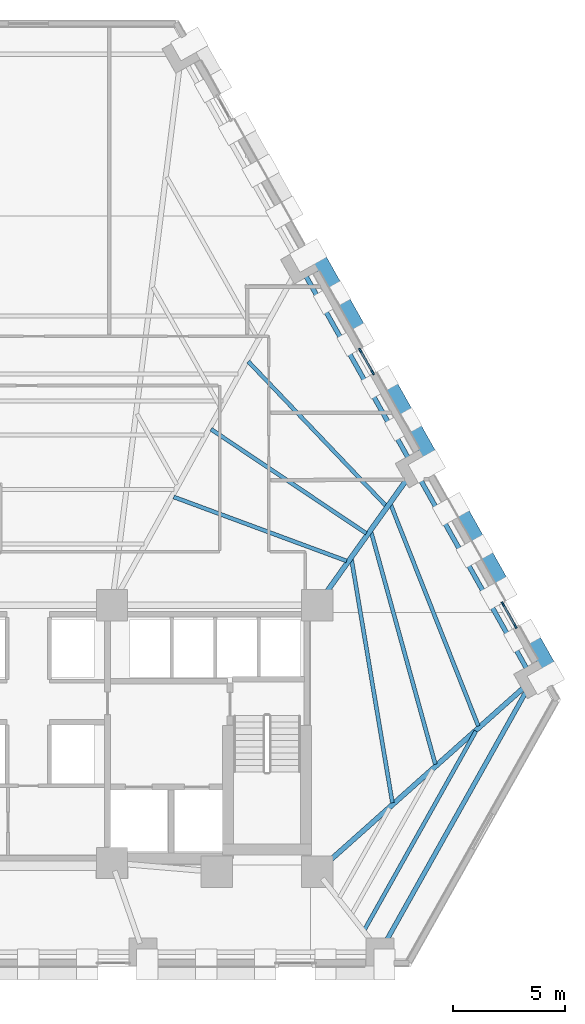
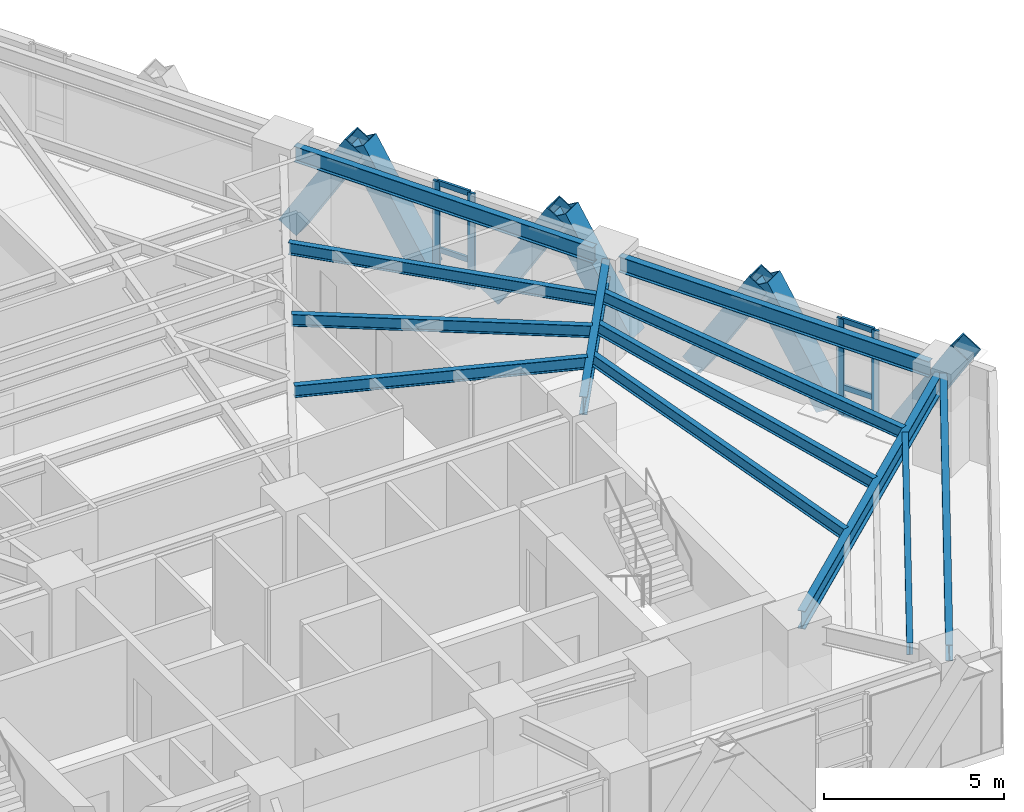
# One storey, part 4 of 13: 17 members, 12 beams, 2 elements without a shape of their own.
"""IFC4 building model written with IfcOpenShell, lengths in metres."""

import ifcopenshell
import ifcopenshell.guid

model = None  # the IFC model being written
_history = None  # IfcOwnerHistory: only IFC2X3 demands one
_inside = {}  # id of a spatial element -> (the spatial element, [elements in it])
_under = {}  # id of a project, library or spatial element -> (it, [spatial elements below it])
_declared = {}  # id of a project -> (the project, [libraries it declares])
_typed = {}  # id of a type object -> (the type object, [elements of that type])
_made_of = {}  # id of a material, layer set ... -> (it, [elements and type objects made of it])


def new_model(schema):
    """Start an empty IFC model of exactly this schema.

    Asked for "IFC4X3", IfcOpenShell would pick the latest addendum, in which some entities
    have other attributes; the version numbers below select the first issue.
    IFC2X3 requires an IfcOwnerHistory on every rooted entity: one is made here for all.
    """
    global model, _history
    if schema == "IFC4X3":
        model = ifcopenshell.file(schema_version=(4, 3, 0, 0))
    else:
        model = ifcopenshell.file(schema=schema)
    _inside.clear()
    _under.clear()
    _declared.clear()
    _typed.clear()
    _made_of.clear()
    _history = None
    if model.schema == "IFC2X3":
        org = make("IfcOrganization", Name="unknown")
        user = make(
            "IfcPersonAndOrganization",
            ThePerson=make("IfcPerson", FamilyName="unknown"),
            TheOrganization=org,
        )
        app = make(
            "IfcApplication",
            ApplicationDeveloper=org,
            Version="unknown",
            ApplicationFullName="unknown",
            ApplicationIdentifier="unknown",
        )
        _history = make(
            "IfcOwnerHistory",
            OwningUser=user,
            OwningApplication=app,
            ChangeAction="ADDED",
            CreationDate=0,
        )
    return model


def make(cls, **values):
    """One entity of the class cls with the attributes given. An attribute that is None is left unset."""
    return model.create_entity(
        cls, **{name: value for name, value in values.items() if value is not None}
    )


def rooted(cls, **values):
    """An entity with a GlobalId (a new one), such as an element, a storey or a relation."""
    return make(cls, GlobalId=ifcopenshell.guid.new(), OwnerHistory=_history, **values)


def si_unit(unit_type, name, prefix=None):
    """IfcSIUnit, for example si_unit("LENGTHUNIT", "METRE", prefix="MILLI")."""
    return make("IfcSIUnit", UnitType=unit_type, Prefix=prefix, Name=name)


def assignment(units):
    """IfcUnitAssignment: the units of a project."""
    return None if units is None else make("IfcUnitAssignment", Units=units)


def point(xyz):
    """IfcCartesianPoint."""
    return None if xyz is None else make("IfcCartesianPoint", Coordinates=xyz)


def direction(xyz):
    """IfcDirection."""
    return None if xyz is None else make("IfcDirection", DirectionRatios=xyz)


def frame(location, z_axis=None, x_axis=None):
    """IfcAxis2Placement3D, a coordinate frame: its origin and axes. An axis left out is left unset."""
    return make(
        "IfcAxis2Placement3D",
        Location=point(location),
        Axis=direction(z_axis),
        RefDirection=direction(x_axis),
    )


def frame_2d(location, x_axis=None):
    """IfcAxis2Placement2D, a coordinate frame in the plane: its origin and x axis."""
    return make(
        "IfcAxis2Placement2D", Location=point(location), RefDirection=direction(x_axis)
    )


def origin():
    """The frame at (0, 0, 0) with its axes left unset."""
    return frame((0.0, 0.0, 0.0))


def origin_2d():
    """The frame at (0, 0) in the plane with its x axis left unset."""
    return frame_2d((0.0, 0.0))


def place(relative_to, where):
    """IfcLocalPlacement: puts the frame where relative to a parent placement (None: the world)."""
    return make(
        "IfcLocalPlacement", PlacementRelTo=relative_to, RelativePlacement=where
    )


def context(
    kind, dimensions, precision=None, world=None, true_north=None, identifier=None
):
    """IfcGeometricRepresentationContext, for example the 3D "Model" context."""
    return make(
        "IfcGeometricRepresentationContext",
        ContextIdentifier=identifier,
        ContextType=kind,
        CoordinateSpaceDimension=dimensions,
        Precision=precision,
        WorldCoordinateSystem=world,
        TrueNorth=true_north,
    )


def subcontext(parent, identifier, kind, view, scale=None):
    """IfcGeometricRepresentationSubContext, for example "Body" below "Model"."""
    return make(
        "IfcGeometricRepresentationSubContext",
        ContextIdentifier=identifier,
        ContextType=kind,
        ParentContext=parent,
        TargetScale=scale,
        TargetView=view,
    )


def project(units=None, contexts=None):
    """IfcProject with its units and contexts."""
    return rooted(
        "IfcProject",
        Name="project",
        RepresentationContexts=contexts,
        UnitsInContext=assignment(units),
    )


def spatial(cls, under=None, at=None, **own):
    """A site, building, storey or space (cls), placed at a placement, below another one or the project."""
    s = rooted(cls, ObjectPlacement=at, **own)
    if under is not None:
        _under.setdefault(under.id(), (under, []))[1].append(s)
    return s


def profile(cls, at=None, kind="AREA", **sizes):
    """A parametric profile (cls). Its sizes go by their IFC names, for example OverallWidth=200.0."""
    return make(cls, ProfileType=kind, Position=at, **sizes)


def rectangle(**sizes):
    """IfcRectangleProfileDef."""
    return profile("IfcRectangleProfileDef", **sizes)


def hollow_rectangle(**sizes):
    """IfcRectangleHollowProfileDef."""
    return profile("IfcRectangleHollowProfileDef", **sizes)


def i_section(**sizes):
    """IfcIShapeProfileDef."""
    return profile("IfcIShapeProfileDef", **sizes)


def extrude(swept, where, along, depth):
    """IfcExtrudedAreaSolid: the profile swept, set in the frame where, extruded along a direction by depth."""
    return make(
        "IfcExtrudedAreaSolid",
        SweptArea=swept,
        Position=where,
        ExtrudedDirection=direction(along),
        Depth=depth,
    )


def shape(context_of_items, identifier, shape_type, items):
    """IfcShapeRepresentation: the items that make up one representation, for example the "Body"."""
    return make(
        "IfcShapeRepresentation",
        ContextOfItems=context_of_items,
        RepresentationIdentifier=identifier,
        RepresentationType=shape_type,
        Items=items,
    )


def material(Name=None, Category=None):
    """IfcMaterial."""
    return make("IfcMaterial", Name=Name, Category=Category)


def material_profile(
    of_material, cross_section, Name=None, Category=None, Priority=None
):
    """IfcMaterialProfile: a cross section and its material."""
    return make(
        "IfcMaterialProfile",
        Name=Name,
        Material=of_material,
        Profile=cross_section,
        Priority=Priority,
        Category=Category,
    )


def profile_set(profiles, Name=None, composite=None):
    """IfcMaterialProfileSet."""
    return make(
        "IfcMaterialProfileSet",
        Name=Name,
        MaterialProfiles=profiles,
        CompositeProfile=composite,
    )


def made_of(thing, what):
    """Note that an element or type object is made of a material, layer set ...; save() writes the relation."""
    if what is not None:
        _made_of.setdefault(what.id(), (what, []))[1].append(thing)
    return thing


def type_object(cls, material=None, **own):
    """A type object (cls), such as IfcWallType, which elements share."""
    return made_of(rooted(cls, **own), material)


def element(
    cls,
    number,
    at=None,
    inside=None,
    cuts=None,
    type_object=None,
    material=None,
    context=None,
    identifier="Body",
    shape_type=None,
    held_by="IfcProductDefinitionShape",
    body=None,
    shapes=None,
    **own,
):
    """One element of the class cls, such as IfcWall. Its Tag is "e" and its number.

    at: its placement. inside: the storey or other place that contains it. cuts: it is an
    opening in that element (IfcRelVoidsElement). A single representation is given by context,
    identifier, shape_type and body (its items); several are given by shapes. held_by: the class
    of the entity that holds the representations. save() writes the other relations.
    """
    e = rooted(cls, Tag="e%d" % number, ObjectPlacement=at, **own)
    if body is not None:
        shapes = [shape(context, identifier, shape_type, body)]
    if shapes is not None:
        e.Representation = make(held_by, Representations=shapes)
    if inside is not None:
        _inside.setdefault(inside.id(), (inside, []))[1].append(e)
    if cuts is not None:
        rooted(
            "IfcRelVoidsElement", RelatingBuildingElement=cuts, RelatedOpeningElement=e
        )
    if type_object is not None:
        _typed.setdefault(type_object.id(), (type_object, []))[1].append(e)
    return made_of(e, material)


def aggregate(whole, parts):
    """IfcRelAggregates: a whole, such as a stair, and the parts it consists of."""
    return rooted("IfcRelAggregates", RelatingObject=whole, RelatedObjects=parts)


def save(model, path):
    """Write the relations noted so far, then the file.

    IfcRelAggregates (storeys below a building ...), IfcRelContainedInSpatialStructure (elements
    in a storey), IfcRelDefinesByType, IfcRelAssociatesMaterial and IfcRelDeclares: one each for
    every whole, place, type object, material and project.
    """
    for whole, parts in _under.values():
        aggregate(whole, parts)
    for where, things in _inside.values():
        rooted(
            "IfcRelContainedInSpatialStructure",
            RelatedElements=things,
            RelatingStructure=where,
        )
    for kind, things in _typed.values():
        rooted("IfcRelDefinesByType", RelatedObjects=things, RelatingType=kind)
    for what, things in _made_of.values():
        rooted("IfcRelAssociatesMaterial", RelatedObjects=things, RelatingMaterial=what)
    for by, libraries in _declared.values():
        rooted("IfcRelDeclares", RelatingContext=by, RelatedDefinitions=libraries)
    model.write(path)


model = new_model("IFC4")

# Units and contexts
model_context = context("Model", 3, precision=1e-05, world=origin(), true_north=direction((0.0, 1.0)))
body_context = subcontext(model_context, "Body", "Model", "MODEL_VIEW")
ifc_project = project(units=[si_unit("LENGTHUNIT", "METRE"), si_unit("AREAUNIT", "SQUARE_METRE"), si_unit("VOLUMEUNIT", "CUBIC_METRE"), si_unit("PLANEANGLEUNIT", "RADIAN"), si_unit("MASSUNIT", "GRAM", prefix="KILO")], contexts=[model_context])

# Site, building, storey
site_placement = place(None, origin())
site = spatial("IfcSite", under=ifc_project, at=site_placement, CompositionType="ELEMENT")
building_placement = place(site_placement, origin())
building = spatial("IfcBuilding", under=site, at=building_placement, Name="Quenlor Broadcast Tower", CompositionType="ELEMENT")
storey_placement = place(building_placement, frame((0.0, 0.0, 45.10009765625)))
storey = spatial("IfcBuildingStorey", under=building, at=storey_placement, Name="L11", CompositionType="ELEMENT", Elevation=45.10009765625)

# Curtain wall, members
ifc_material_1 = material(Name="Architectural Terracotta and Low-E Glazing", Category="masonry")
curtain_wall_type = type_object("IfcCurtainWallType", Name="Unitised Terracotta Curtain Wall System Z1", PredefinedType="NOTDEFINED", material=ifc_material_1)
curtain_wall_1_placement = place(storey_placement, origin())
curtain_wall_1 = element("IfcCurtainWall", 1, at=curtain_wall_1_placement, inside=storey, type_object=curtain_wall_type, Name="L11 Curtain Wall CW1 (L11-NEC-G1)", PredefinedType="NOTDEFINED")
ifc_material_2 = material(Name="Aluminium 6063-T6", Category="aluminium")
ifc_material_profile_1 = material_profile(ifc_material_2, rectangle(XDim=0.080078125, YDim=0.219970703125, at=origin_2d()))
ifc_profile_set_1 = profile_set([ifc_material_profile_1], Name="Aluminium 6063-T6 MULL80x220")
member_type_1 = type_object("IfcMemberType", Name="CW1 Aluminium Mullion MULL_CW1", PredefinedType="MULLION", material=ifc_profile_set_1)
member_1_placement = place(storey_placement, frame((21.277587890625, -4.75341796875, 0.0), z_axis=(0.0, 0.0, 1.0), x_axis=(0.871602077703, 0.490214053392, 0.0)))
member_1 = element("IfcMember", 2, at=member_1_placement, type_object=member_type_1, Name="CW1 mullion 1", PredefinedType="MULLION", context=body_context, shape_type="SweptSolid", body=[
    extrude(rectangle(XDim=0.080078125, YDim=0.219970703125, at=origin_2d()), origin(), (0.0, 0.0, 1.0), 3.25),
])
member_2_placement = place(storey_placement, frame((21.830322265625, -5.736083984375, 0.0), z_axis=(0.0, 0.0, 1.0), x_axis=(0.871602077703, 0.490214053392, 0.0)))
member_2 = element("IfcMember", 3, at=member_2_placement, type_object=member_type_1, Name="CW1 mullion 2", PredefinedType="MULLION", context=body_context, shape_type="SweptSolid", body=[
    extrude(rectangle(XDim=0.080078125, YDim=0.219970703125, at=origin_2d()), origin(), (0.0, 0.0, 1.0), 3.25),
])

curtain_wall_2_placement = place(storey_placement, origin())
curtain_wall_2 = element("IfcCurtainWall", 4, at=curtain_wall_2_placement, inside=storey, type_object=curtain_wall_type, Name="L11 Curtain Wall CW1 (L11-NE-G1)", PredefinedType="NOTDEFINED")
member_3_placement = place(storey_placement, frame((14.884033203125, 6.613037109375, 0.0), z_axis=(0.0, 0.0, 1.0), x_axis=(0.871566690057, 0.49027696742, 0.0)))
member_3 = element("IfcMember", 5, at=member_3_placement, type_object=member_type_1, Name="CW1 mullion 1", PredefinedType="MULLION", context=body_context, shape_type="SweptSolid", body=[
    extrude(rectangle(XDim=0.080078125, YDim=0.219970703125, at=origin_2d()), origin(), (0.0, 0.0, 1.0), 3.25),
])
member_4_placement = place(storey_placement, frame((15.436767578125, 5.63037109375, 0.0), z_axis=(0.0, 0.0, 1.0), x_axis=(0.871566690057, 0.49027696742, 0.0)))
member_4 = element("IfcMember", 6, at=member_4_placement, type_object=member_type_1, Name="CW1 mullion 2", PredefinedType="MULLION", context=body_context, shape_type="SweptSolid", body=[
    extrude(rectangle(XDim=0.080078125, YDim=0.219970703125, at=origin_2d()), origin(), (0.0, 0.0, 1.0), 3.25),
])

# Member
ifc_material_3 = material(Name="Aluminium 6063-T6", Category="aluminium")
ifc_material_profile_2 = material_profile(ifc_material_3, rectangle(XDim=0.080078125, YDim=0.179931640625, at=origin_2d()))
ifc_profile_set_2 = profile_set([ifc_material_profile_2], Name="Aluminium 6063-T6 TRAN80x180")
member_type_2 = type_object("IfcMemberType", Name="CW1 Aluminium Transom TRAN_CW1", PredefinedType="USERDEFINED", material=ifc_profile_set_2)
member_5_placement = place(storey_placement, frame((21.29736328125, -4.788330078125, 0.039794921875), z_axis=(0.490228036821, -0.871594212874, 0.0), x_axis=(0.871594212874, 0.490228036821, 0.0)))
member_5 = element("IfcMember", 7, at=member_5_placement, type_object=member_type_2, Name="CW1 transom 1.1", ObjectType="TRANSOM", PredefinedType="USERDEFINED", context=body_context, shape_type="SweptSolid", body=[
    extrude(rectangle(XDim=0.080078125, YDim=0.179931640625, at=origin_2d()), origin(), (0.0, 0.0, 1.0), 1.04736328125),
])

member_6_placement = place(storey_placement, frame((21.29736328125, -4.788330078125, 0.949951171875), z_axis=(0.490228036821, -0.871594212874, 0.0), x_axis=(0.871594212874, 0.490228036821, 0.0)))
member_6 = element("IfcMember", 8, at=member_6_placement, type_object=member_type_2, Name="CW1 transom 1.2", ObjectType="TRANSOM", PredefinedType="USERDEFINED", context=body_context, shape_type="SweptSolid", body=[
    extrude(rectangle(XDim=0.080078125, YDim=0.179931640625, at=origin_2d()), origin(), (0.0, 0.0, 1.0), 1.04736328125),
])

member_7_placement = place(storey_placement, frame((21.29736328125, -4.788330078125, 3.2099609375), z_axis=(0.490228036821, -0.871594212874, 0.0), x_axis=(0.871594212874, 0.490228036821, 0.0)))
member_7 = element("IfcMember", 9, at=member_7_placement, type_object=member_type_2, Name="CW1 transom 1.3", ObjectType="TRANSOM", PredefinedType="USERDEFINED", context=body_context, shape_type="SweptSolid", body=[
    extrude(rectangle(XDim=0.080078125, YDim=0.179931640625, at=origin_2d()), origin(), (0.0, 0.0, 1.0), 1.04736328125),
])

aggregate(curtain_wall_1, [member_1, member_2, member_5, member_6, member_7])

member_8_placement = place(storey_placement, frame((14.90380859375, 6.578125, 0.039794921875), z_axis=(0.490128451098, -0.87165021736, 0.0), x_axis=(0.87165021736, 0.490128451098, 0.0)))
member_8 = element("IfcMember", 10, at=member_8_placement, type_object=member_type_2, Name="CW1 transom 1.1", ObjectType="TRANSOM", PredefinedType="USERDEFINED", context=body_context, shape_type="SweptSolid", body=[
    extrude(rectangle(XDim=0.080078125, YDim=0.179931640625, at=origin_2d()), origin(), (0.0, 0.0, 1.0), 1.047607421875),
])

member_9_placement = place(storey_placement, frame((14.90380859375, 6.578125, 0.949951171875), z_axis=(0.490128451098, -0.87165021736, 0.0), x_axis=(0.87165021736, 0.490128451098, 0.0)))
member_9 = element("IfcMember", 11, at=member_9_placement, type_object=member_type_2, Name="CW1 transom 1.2", ObjectType="TRANSOM", PredefinedType="USERDEFINED", context=body_context, shape_type="SweptSolid", body=[
    extrude(rectangle(XDim=0.080078125, YDim=0.179931640625, at=origin_2d()), origin(), (0.0, 0.0, 1.0), 1.047607421875),
])

member_10_placement = place(storey_placement, frame((14.90380859375, 6.578125, 3.2099609375), z_axis=(0.490128451098, -0.87165021736, 0.0), x_axis=(0.87165021736, 0.490128451098, 0.0)))
member_10 = element("IfcMember", 12, at=member_10_placement, type_object=member_type_2, Name="CW1 transom 1.3", ObjectType="TRANSOM", PredefinedType="USERDEFINED", context=body_context, shape_type="SweptSolid", body=[
    extrude(rectangle(XDim=0.080078125, YDim=0.179931640625, at=origin_2d()), origin(), (0.0, 0.0, 1.0), 1.047607421875),
])

aggregate(curtain_wall_2, [member_3, member_4, member_8, member_9, member_10])

# Members
ifc_material_4 = material(Name="Steel S355", Category="steel")
ifc_material_profile_3 = material_profile(ifc_material_4, hollow_rectangle(XDim=0.679931640625, YDim=0.679931640625, WallThickness=0.034912109375, at=origin_2d()))
ifc_profile_set_3 = profile_set([ifc_material_profile_3], Name="Steel S355 RHS680x680x35")
member_type_3 = type_object("IfcMemberType", Name="Perimeter Diagonal Lattice Brace Z1 Steel S355 RHS680x35", PredefinedType="BRACE", material=ifc_profile_set_3)
for number, where, z_axis, x_axis, name in (
    (13, (12.84716796875, 11.039794921875, -0.1201171875), (0.256375341489, -0.45579159737, 0.852364771705), (0.871581609758, 0.490250443683, 0.0), "L11 Perimeter Diamond Lattice NE-C2S"),
    (14, (16.0439453125, 5.356689453125, -0.1201171875), (0.256375341489, -0.45579159737, 0.852364771705), (0.871581609758, 0.490250443683, 0.0), "L11 Perimeter Diamond Lattice NE-C3S"),
):
    element("IfcMember", number, at=place(storey_placement, frame(where, z_axis=z_axis, x_axis=x_axis)), inside=storey, type_object=member_type_3, Name=name, PredefinedType="BRACE", context=body_context, shape_type="SweptSolid", body=[
        extrude(hollow_rectangle(XDim=0.679931640625, YDim=0.679931640625, WallThickness=0.034912109375, at=origin_2d()), origin(), (0.0, 0.0, 1.0), 4.106201171875),
    ])
member_11_placement = place(storey_placement, frame((14.965576171875, 7.273681640625, -0.1201171875), z_axis=(-0.256368393635, 0.455838699906, 0.852341672343), x_axis=(-0.871608931644, -0.490201866865, 0.0)))
element("IfcMember", 15, at=member_11_placement, inside=storey, type_object=member_type_3, Name="L11 Perimeter Diamond Lattice NE-C3B", PredefinedType="BRACE", context=body_context, shape_type="SweptSolid", body=[
    extrude(hollow_rectangle(XDim=0.679931640625, YDim=0.679931640625, WallThickness=0.034912109375, at=origin_2d()), origin(), (0.0, 0.0, 1.0), 4.1064453125),
])
for number, where, z_axis, x_axis, name in (
    (16, (19.24072265625, -0.326416015625, -0.1201171875), (0.256375341489, -0.45579159737, 0.852364771705), (0.871581609758, 0.490250443683, 0.0), "L11 Perimeter Diamond Lattice NE-C4S"),
    (17, (18.162353515625, 1.5908203125, -0.1201171875), (-0.256375341489, 0.45579159737, 0.852364771705), (-0.871581609758, -0.490250443683, 0.0), "L11 Perimeter Diamond Lattice NE-C4B"),
):
    element("IfcMember", number, at=place(storey_placement, frame(where, z_axis=z_axis, x_axis=x_axis)), inside=storey, type_object=member_type_3, Name=name, PredefinedType="BRACE", context=body_context, shape_type="SweptSolid", body=[
        extrude(hollow_rectangle(XDim=0.679931640625, YDim=0.679931640625, WallThickness=0.034912109375, at=origin_2d()), origin(), (0.0, 0.0, 1.0), 4.106201171875),
    ])
member_12_placement = place(storey_placement, frame((22.4375, -6.009521484375, -0.1201171875), z_axis=(0.256368393635, -0.455838699906, 0.852341672343), x_axis=(0.871608931644, 0.490201866865, 0.0)))
element("IfcMember", 18, at=member_12_placement, inside=storey, type_object=member_type_3, Name="L11 Perimeter Diamond Lattice NE-C5S", PredefinedType="BRACE", context=body_context, shape_type="SweptSolid", body=[
    extrude(hollow_rectangle(XDim=0.679931640625, YDim=0.679931640625, WallThickness=0.034912109375, at=origin_2d()), origin(), (0.0, 0.0, 1.0), 4.1064453125),
])
member_13_placement = place(storey_placement, frame((21.359130859375, -4.092529296875, -0.1201171875), z_axis=(-0.256375341489, 0.45579159737, 0.852364771705), x_axis=(-0.871581609758, -0.490250443683, 0.0)))
element("IfcMember", 19, at=member_13_placement, inside=storey, type_object=member_type_3, Name="L11 Perimeter Diamond Lattice NE-C5B", PredefinedType="BRACE", context=body_context, shape_type="SweptSolid", body=[
    extrude(hollow_rectangle(XDim=0.679931640625, YDim=0.679931640625, WallThickness=0.034912109375, at=origin_2d()), origin(), (0.0, 0.0, 1.0), 4.106201171875),
])

# Beams
ifc_material_5 = material(Name="Steel S355", Category="steel")
ifc_material_profile_4 = material_profile(ifc_material_5, i_section(OverallWidth=0.208984375, OverallDepth=0.532958984375, WebThickness=0.01025390625, FlangeThickness=0.015625, FilletRadius=0.013916015625, at=origin_2d()))
ifc_profile_set_4 = profile_set([ifc_material_profile_4], Name="Steel S355 530UB92.4")
beam_type_1 = type_object("IfcBeamType", Name="Perimeter Spandrel Beam Z1 Steel S355 530UB92.4", PredefinedType="SPANDREL", material=ifc_profile_set_4)
beam_1_placement = place(storey_placement, frame((15.965576171875, -19.992431640625, 2.9833984375), z_axis=(0.489090917871, 0.87223280955, 0.0), x_axis=(-0.87223280955, 0.489090917871, 0.0)))
element("IfcBeam", 20, at=beam_1_placement, inside=storey, type_object=beam_type_1, Name="L11 Spandrel Beam S4-NE1", PredefinedType="SPANDREL", context=body_context, shape_type="SweptSolid", body=[
    extrude(i_section(OverallWidth=0.208984375, OverallDepth=0.532958984375, WebThickness=0.01025390625, FlangeThickness=0.015625, FilletRadius=0.013916015625, at=origin_2d()), origin(), (0.0, 0.0, 1.0), 13.187744140625),
])
beam_2_placement = place(storey_placement, frame((22.4150390625, -7.77490234375, 2.9833984375), z_axis=(-0.490257767622, 0.871577490121, 0.0), x_axis=(-0.871577490121, -0.490257767622, 0.0)))
element("IfcBeam", 21, at=beam_2_placement, inside=storey, type_object=beam_type_1, Name="L11 Spandrel Beam NE1-NE2", PredefinedType="SPANDREL", context=body_context, shape_type="SweptSolid", body=[
    extrude(i_section(OverallWidth=0.208984375, OverallDepth=0.532958984375, WebThickness=0.01025390625, FlangeThickness=0.015625, FilletRadius=0.013916015625, at=origin_2d()), origin(), (0.0, 0.0, 1.0), 10.015380859375),
])
beam_3_placement = place(storey_placement, frame((17.102783203125, 1.6689453125, 2.9833984375), z_axis=(-0.490257642051, 0.871577560755, 0.0), x_axis=(-0.871577560755, -0.490257642051, 0.0)))
element("IfcBeam", 22, at=beam_3_placement, inside=storey, type_object=beam_type_1, Name="L11 Spandrel Beam NE2-NE3", PredefinedType="SPANDREL", context=body_context, shape_type="SweptSolid", body=[
    extrude(i_section(OverallWidth=0.208984375, OverallDepth=0.532958984375, WebThickness=0.01025390625, FlangeThickness=0.015625, FilletRadius=0.013916015625, at=origin_2d()), origin(), (0.0, 0.0, 1.0), 9.665771484375),
])
ifc_material_6 = material(Name="Steel S355", Category="steel")
ifc_material_profile_5 = material_profile(ifc_material_6, i_section(OverallWidth=0.177978515625, OverallDepth=0.406494140625, WebThickness=0.0078125, FlangeThickness=0.0126953125, FilletRadius=0.011474609375, at=origin_2d()))
ifc_profile_set_5 = profile_set([ifc_material_profile_5], Name="Steel S355 410UB59.7")
beam_type_2 = type_object("IfcBeamType", Name="Tower Composite Joist Z1 Steel S355 410UB59.7", PredefinedType="JOIST", material=ifc_profile_set_5)
beam_4_placement = place(storey_placement, frame((14.268310546875, -2.81640625, 3.046630859375), z_axis=(-0.937824633945, 0.347109429383, 0.0), x_axis=(-0.347109429383, -0.937824633945, 0.0)))
element("IfcBeam", 23, at=beam_4_placement, inside=storey, type_object=beam_type_2, Name="L11 Secondary Composite Joist 10", PredefinedType="JOIST", context=body_context, shape_type="SweptSolid", body=[
    extrude(i_section(OverallWidth=0.177978515625, OverallDepth=0.406494140625, WebThickness=0.0078125, FlangeThickness=0.0126953125, FilletRadius=0.011474609375, at=origin_2d()), origin(), (0.0, 0.0, 1.0), 8.26513671875),
])
beam_5_placement = place(storey_placement, frame((15.147705078125, -1.577392578125, 3.046630859375), z_axis=(-0.830625844363, 0.556830949819, 0.0), x_axis=(-0.556830949819, -0.830625844363, 0.0)))
element("IfcBeam", 24, at=beam_5_placement, inside=storey, type_object=beam_type_2, Name="L11 Secondary Composite Joist 11", PredefinedType="JOIST", context=body_context, shape_type="SweptSolid", body=[
    extrude(i_section(OverallWidth=0.177978515625, OverallDepth=0.406494140625, WebThickness=0.0078125, FlangeThickness=0.0126953125, FilletRadius=0.011474609375, at=origin_2d()), origin(), (0.0, 0.0, 1.0), 8.374755859375),
])
beam_6_placement = place(storey_placement, frame((16.029541015625, -0.341796875, 3.046630859375), z_axis=(-0.690241086162, 0.723579465556, 0.0), x_axis=(-0.723579465556, -0.690241086162, 0.0)))
element("IfcBeam", 25, at=beam_6_placement, inside=storey, type_object=beam_type_2, Name="L11 Secondary Composite Joist 12", PredefinedType="JOIST", context=body_context, shape_type="SweptSolid", body=[
    extrude(i_section(OverallWidth=0.177978515625, OverallDepth=0.406494140625, WebThickness=0.0078125, FlangeThickness=0.0126953125, FilletRadius=0.011474609375, at=origin_2d()), origin(), (0.0, 0.0, 1.0), 8.93408203125),
])
beam_7_placement = place(storey_placement, frame((16.31982421875, -13.65478515625, 3.046630859375), z_axis=(-0.16559360599, 0.986194077074, 0.0), x_axis=(-0.986194077074, -0.16559360599, 0.0)))
element("IfcBeam", 26, at=beam_7_placement, inside=storey, type_object=beam_type_2, Name="L11 Secondary Composite Joist 16", PredefinedType="JOIST", context=body_context, shape_type="SweptSolid", body=[
    extrude(i_section(OverallWidth=0.177978515625, OverallDepth=0.406494140625, WebThickness=0.0078125, FlangeThickness=0.0126953125, FilletRadius=0.011474609375, at=origin_2d()), origin(), (0.0, 0.0, 1.0), 11.06787109375),
])
beam_8_placement = place(storey_placement, frame((18.2451171875, -11.93310546875, 3.046630859375), z_axis=(-0.266390054368, 0.963865311615, 0.0), x_axis=(-0.963865311615, -0.266390054368, 0.0)))
element("IfcBeam", 27, at=beam_8_placement, inside=storey, type_object=beam_type_2, Name="L11 Secondary Composite Joist 17", PredefinedType="JOIST", context=body_context, shape_type="SweptSolid", body=[
    extrude(i_section(OverallWidth=0.177978515625, OverallDepth=0.406494140625, WebThickness=0.0078125, FlangeThickness=0.0126953125, FilletRadius=0.011474609375, at=origin_2d()), origin(), (0.0, 0.0, 1.0), 10.80810546875),
])
beam_9_placement = place(storey_placement, frame((20.170166015625, -10.212158203125, 3.046630859375), z_axis=(-0.367884833597, 0.929871361646, 0.0), x_axis=(-0.929871361646, -0.367884833597, 0.0)))
element("IfcBeam", 28, at=beam_9_placement, inside=storey, type_object=beam_type_2, Name="L11 Secondary Composite Joist 18", PredefinedType="JOIST", context=body_context, shape_type="SweptSolid", body=[
    extrude(i_section(OverallWidth=0.177978515625, OverallDepth=0.406494140625, WebThickness=0.0078125, FlangeThickness=0.0126953125, FilletRadius=0.011474609375, at=origin_2d()), origin(), (0.0, 0.0, 1.0), 10.669921875),
])
beam_10_placement = place(storey_placement, frame((15.072265625, -19.34423828125, 3.046630859375), z_axis=(0.489081877778, 0.872237878579, 0.0), x_axis=(-0.872237878579, 0.489081877778, 0.0)))
element("IfcBeam", 29, at=beam_10_placement, inside=storey, type_object=beam_type_2, Name="L11 Secondary Composite Joist 24", PredefinedType="JOIST", context=body_context, shape_type="SweptSolid", body=[
    extrude(i_section(OverallWidth=0.177978515625, OverallDepth=0.406494140625, WebThickness=0.0078125, FlangeThickness=0.0126953125, FilletRadius=0.011474609375, at=origin_2d()), origin(), (0.0, 0.0, 1.0), 10.205810546875),
])
ifc_material_7 = material(Name="Steel S355", Category="steel")
ifc_material_profile_6 = material_profile(ifc_material_7, i_section(OverallWidth=0.22900390625, OverallDepth=0.611572265625, WebThickness=0.011962890625, FlangeThickness=0.01953125, FilletRadius=0.013916015625, at=origin_2d()))
ifc_profile_set_6 = profile_set([ifc_material_profile_6], Name="Steel S355 610UB125")
beam_type_3 = type_object("IfcBeamType", Name="Tower Primary Floor Beam Z1 Steel S355 610UB125", PredefinedType="BEAM", material=ifc_profile_set_6)
beam_11_placement = place(storey_placement, frame((22.31005859375, -8.40478515625, 2.944091796875), z_axis=(-0.746413754585, -0.665482161268, 0.0), x_axis=(0.665482161268, -0.746413754585, 0.0)))
element("IfcBeam", 30, at=beam_11_placement, inside=storey, type_object=beam_type_3, Name="L11 Primary Radial Beam NE1", PredefinedType="BEAM", context=body_context, shape_type="SweptSolid", body=[
    extrude(i_section(OverallWidth=0.22900390625, OverallDepth=0.611572265625, WebThickness=0.011962890625, FlangeThickness=0.01953125, FilletRadius=0.013916015625, at=origin_2d()), origin(), (0.0, 0.0, 1.0), 12.159912109375),
])
beam_12_placement = place(storey_placement, frame((17.06591796875, 0.977783203125, 2.944091796875), z_axis=(-0.580212680853, -0.814465005373, 0.0), x_axis=(0.814465005373, -0.580212680853, 0.0)))
element("IfcBeam", 31, at=beam_12_placement, inside=storey, type_object=beam_type_3, Name="L11 Primary Radial Beam NE2", PredefinedType="BEAM", context=body_context, shape_type="SweptSolid", body=[
    extrude(i_section(OverallWidth=0.22900390625, OverallDepth=0.611572265625, WebThickness=0.011962890625, FlangeThickness=0.01953125, FilletRadius=0.013916015625, at=origin_2d()), origin(), (0.0, 0.0, 1.0), 6.7138671875),
])

save(model, "model.ifc")
